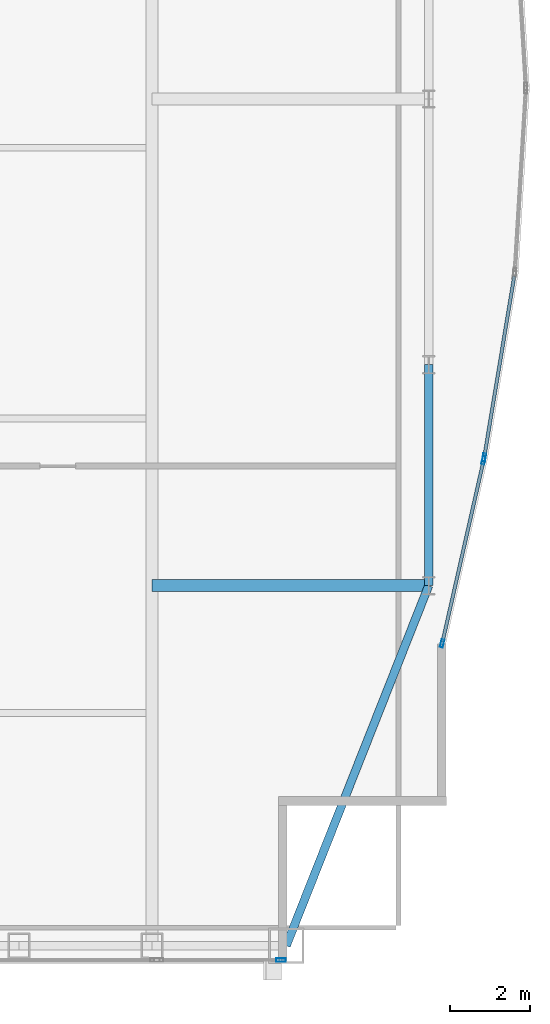
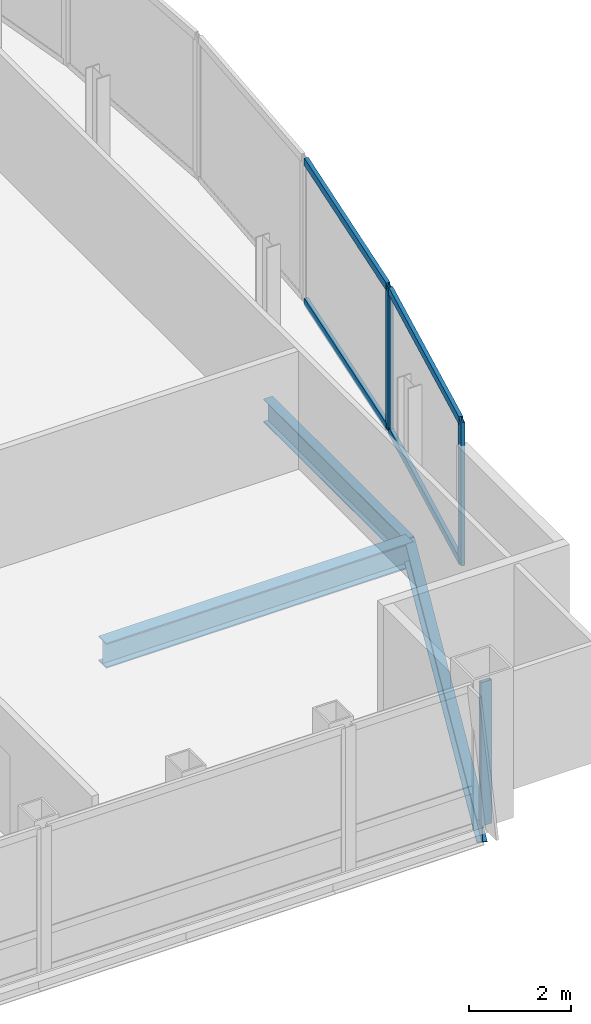
# One storey, part 16 of 29: 8 members, 3 beams, 3 elements without a shape of their own.
"""IFC4 building model written with IfcOpenShell, lengths in metres."""

from ifc_helpers import new_model, si_unit, direction, frame, origin, origin_2d, place, context, subcontext, project, spatial, hollow_rectangle, i_section, extrude, material, material_profile, profile_set, type_object, element, aggregate, save


model = new_model("IFC4")

# Units and contexts
model_context = context("Model", 3, precision=1e-05, world=origin(), true_north=direction((0.0, 1.0)))
body_context = subcontext(model_context, "Body", "Model", "MODEL_VIEW")
ifc_project = project(units=[si_unit("LENGTHUNIT", "METRE"), si_unit("AREAUNIT", "SQUARE_METRE"), si_unit("VOLUMEUNIT", "CUBIC_METRE"), si_unit("PLANEANGLEUNIT", "RADIAN"), si_unit("MASSUNIT", "GRAM", prefix="KILO")], contexts=[model_context])

# Site, building, storey
site_placement = place(None, origin())
site = spatial("IfcSite", under=ifc_project, at=site_placement, CompositionType="ELEMENT")
building_placement = place(site_placement, origin())
building = spatial("IfcBuilding", under=site, at=building_placement, Name="Khoronbel Lancet Exchange", CompositionType="ELEMENT")
storey_placement = place(building_placement, frame((0.0, 0.0, 318.199951171875)))
storey = spatial("IfcBuildingStorey", under=building, at=storey_placement, Name="L82", CompositionType="ELEMENT", Elevation=318.199951171875)

# Beams
ifc_material_1 = material(Name="Steel S355", Category="steel")
ifc_material_profile_1 = material_profile(ifc_material_1, i_section(OverallWidth=0.300048828125, OverallDepth=0.60009765625, WebThickness=0.015380859375, FlangeThickness=0.030029296875, at=origin_2d()), Name="HEB 600")
ifc_profile_set_1 = profile_set([ifc_material_profile_1], Name="Steel S355")
beam_type_1 = type_object("IfcBeamType", Name="BM-BG5", PredefinedType="BEAM", material=ifc_profile_set_1)
beam_1_placement = place(storey_placement, frame((54.675048828125, 19.199951171875, -0.4599609375), z_axis=(1.0, 0.0, 0.0), x_axis=(0.0, 1.0, 0.0)))
element("IfcBeam", 1, at=beam_1_placement, inside=storey, type_object=beam_type_1, Name="Level L82 east lens tie girder LG1E", PredefinedType="BEAM", context=body_context, shape_type="SweptSolid", body=[
    extrude(i_section(OverallWidth=0.300048828125, OverallDepth=0.60009765625, WebThickness=0.015380859375, FlangeThickness=0.030029296875, at=origin_2d()), origin(), (0.0, 0.0, 1.0), 6.954833984375),
])
ifc_material_profile_2 = material_profile(ifc_material_1, i_section(OverallWidth=0.2099609375, OverallDepth=0.550048828125, WebThickness=0.010986328125, FlangeThickness=0.01708984375, at=origin_2d()), Name="IPE 550")
ifc_profile_set_2 = profile_set([ifc_material_profile_2], Name="Steel S355")
beam_type_2 = type_object("IfcBeamType", Name="BM-BSP3", PredefinedType="SPANDREL", material=ifc_profile_set_2)
beam_2_placement = place(storey_placement, frame((58.050048828125, 10.14990234375, -0.43505859375), z_axis=(0.367828403855, 0.929893684954, 0.0), x_axis=(-0.929893684954, 0.367828403855, 0.0)))
element("IfcBeam", 2, at=beam_2_placement, inside=storey, type_object=beam_type_2, Name="Level L82 perimeter spandrel beam SP08", PredefinedType="SPANDREL", context=body_context, shape_type="SweptSolid", body=[
    extrude(i_section(OverallWidth=0.2099609375, OverallDepth=0.550048828125, WebThickness=0.010986328125, FlangeThickness=0.01708984375, at=origin_2d()), origin(), (0.0, 0.0, 1.0), 9.732421875),
])
beam_3_placement = place(storey_placement, frame((61.6298828125, 19.199951171875, -0.43505859375), z_axis=(0.0, 1.0, 0.0), x_axis=(-1.0, 0.0, 0.0)))
element("IfcBeam", 3, at=beam_3_placement, inside=storey, type_object=beam_type_2, Name="Level L82 perimeter spandrel beam SP09", PredefinedType="SPANDREL", context=body_context, shape_type="SweptSolid", body=[
    extrude(i_section(OverallWidth=0.2099609375, OverallDepth=0.550048828125, WebThickness=0.010986328125, FlangeThickness=0.01708984375, at=origin_2d()), origin(), (0.0, 0.0, 1.0), 5.550048828125),
])

# Curtain wall, member
ifc_material_2 = material(Name="Low-E Solar Control Insulating Glass", Category="glass")
curtain_wall_type_1 = type_object("IfcCurtainWallType", Name="CW-3", PredefinedType="NOTDEFINED", material=ifc_material_2)
curtain_wall_1_placement = place(storey_placement, origin())
curtain_wall_1 = element("IfcCurtainWall", 4, at=curtain_wall_1_placement, inside=storey, type_object=curtain_wall_type_1, Name="Unitised curtain wall CW-L82-SEV", PredefinedType="NOTDEFINED")
ifc_material_3 = material(Name="Bronze-Anodised Aluminium 6063-T6", Category="aluminium")
ifc_material_profile_3 = material_profile(ifc_material_3, hollow_rectangle(XDim=0.0849609375, YDim=0.239990234375, WallThickness=0.006103515625, at=origin_2d()), Name="ALU MULLION 85x240")
ifc_profile_set_3 = profile_set([ifc_material_profile_3], Name="Bronze-Anodised Aluminium 6063-T6")
member_type_1 = type_object("IfcMemberType", Name="MEM-CWM1", PredefinedType="MULLION", material=ifc_profile_set_3)
member_1_placement = place(storey_placement, frame((57.91748046875, 9.7900390625, 0.0), z_axis=(0.0, 0.0, 1.0), x_axis=(0.0, 1.0, 0.0)))
member_1 = element("IfcMember", 5, at=member_1_placement, type_object=member_type_1, Name="CW3 mullion 2", PredefinedType="MULLION", context=body_context, shape_type="SweptSolid", body=[
    extrude(hollow_rectangle(XDim=0.0849609375, YDim=0.239990234375, WallThickness=0.006103515625, at=origin_2d()), origin(), (0.0, 0.0, 1.0), 3.43994140625),
])
aggregate(curtain_wall_1, [member_1])

curtain_wall_type_2 = type_object("IfcCurtainWallType", Name="CW-4", PredefinedType="NOTDEFINED", material=ifc_material_2)
curtain_wall_2_placement = place(storey_placement, origin())
curtain_wall_2 = element("IfcCurtainWall", 6, at=curtain_wall_2_placement, inside=storey, type_object=curtain_wall_type_2, Name="Unitised curtain wall CW-L82-E21", PredefinedType="NOTDEFINED")
ifc_material_profile_4 = material_profile(ifc_material_3, hollow_rectangle(XDim=0.074951171875, YDim=0.199951171875, WallThickness=0.0048828125, at=origin_2d()), Name="ALU MULLION 75x200")
ifc_profile_set_4 = profile_set([ifc_material_profile_4], Name="Bronze-Anodised Aluminium 6063-T6")
member_type_2 = type_object("IfcMemberType", Name="MEM-CWM2", PredefinedType="MULLION", material=ifc_profile_set_4)
member_2_placement = place(storey_placement, frame((63.02392578125, 22.4208984375, 0.0), z_axis=(0.0, 0.0, 1.0), x_axis=(0.986546857696, -0.163478737362, 0.0)))
member_2 = element("IfcMember", 7, at=member_2_placement, type_object=member_type_2, Name="CW4 mullion 2", PredefinedType="MULLION", context=body_context, shape_type="SweptSolid", body=[
    extrude(hollow_rectangle(XDim=0.074951171875, YDim=0.199951171875, WallThickness=0.0048828125, at=origin_2d()), origin(), (0.0, 0.0, 1.0), 3.43994140625),
])

# Curtain wall, members
curtain_wall_3_placement = place(storey_placement, origin())
curtain_wall_3 = element("IfcCurtainWall", 8, at=curtain_wall_3_placement, inside=storey, type_object=curtain_wall_type_2, Name="Unitised curtain wall CW-L82-E22", PredefinedType="NOTDEFINED")
member_3_placement = place(storey_placement, frame((63.009521484375, 22.347412109375, 0.0), z_axis=(0.0, 0.0, 1.0), x_axis=(0.975333138033, -0.220738011804, 0.0)))
member_3 = element("IfcMember", 9, at=member_3_placement, type_object=member_type_2, Name="CW4 mullion 1", PredefinedType="MULLION", context=body_context, shape_type="SweptSolid", body=[
    extrude(hollow_rectangle(XDim=0.074951171875, YDim=0.199951171875, WallThickness=0.0048828125, at=origin_2d()), origin(), (0.0, 0.0, 1.0), 3.43994140625),
])
member_4_placement = place(storey_placement, frame((61.96826171875, 17.74658203125, 0.0), z_axis=(0.0, 0.0, 1.0), x_axis=(0.975333138033, -0.220738011804, 0.0)))
member_4 = element("IfcMember", 10, at=member_4_placement, type_object=member_type_2, Name="CW4 mullion 2", PredefinedType="MULLION", context=body_context, shape_type="SweptSolid", body=[
    extrude(hollow_rectangle(XDim=0.074951171875, YDim=0.199951171875, WallThickness=0.0048828125, at=origin_2d()), origin(), (0.0, 0.0, 1.0), 3.43994140625),
])

# Member
ifc_material_profile_5 = material_profile(ifc_material_3, hollow_rectangle(XDim=0.0849609375, YDim=0.179931640625, WallThickness=0.0048828125, at=origin_2d()), Name="ALU TRANSOM 85x180")
ifc_profile_set_5 = profile_set([ifc_material_profile_5], Name="Bronze-Anodised Aluminium 6063-T6")
member_type_3 = type_object("IfcMemberType", Name="MEM-CWT1", PredefinedType="USERDEFINED", material=ifc_profile_set_5)
member_5_placement = place(storey_placement, frame((63.777587890625, 26.969482421875, 0.04248046875), z_axis=(-0.163472569288, -0.986547879776, 0.0), x_axis=(0.986547879776, -0.163472569288, 0.0)))
member_5 = element("IfcMember", 11, at=member_5_placement, type_object=member_type_3, Name="CW4 transom 1.1", ObjectType="TRANSOM", PredefinedType="USERDEFINED", context=body_context, shape_type="SweptSolid", body=[
    extrude(hollow_rectangle(XDim=0.0849609375, YDim=0.179931640625, WallThickness=0.0048828125, at=origin_2d()), origin(), (0.0, 0.0, 1.0), 4.572998046875),
])

member_6_placement = place(storey_placement, frame((63.777587890625, 26.969482421875, 3.3974609375), z_axis=(-0.163472569288, -0.986547879776, 0.0), x_axis=(0.986547879776, -0.163472569288, 0.0)))
member_6 = element("IfcMember", 12, at=member_6_placement, type_object=member_type_3, Name="CW4 transom 1.2", ObjectType="TRANSOM", PredefinedType="USERDEFINED", context=body_context, shape_type="SweptSolid", body=[
    extrude(hollow_rectangle(XDim=0.0849609375, YDim=0.179931640625, WallThickness=0.0048828125, at=origin_2d()), origin(), (0.0, 0.0, 1.0), 4.572998046875),
])

aggregate(curtain_wall_2, [member_2, member_5, member_6])

member_7_placement = place(storey_placement, frame((63.001220703125, 22.310791015625, 0.04248046875), z_axis=(-0.220732202652, -0.975334452746, 0.0), x_axis=(0.975334452746, -0.220732202652, 0.0)))
member_7 = element("IfcMember", 13, at=member_7_placement, type_object=member_type_3, Name="CW4 transom 1.1", ObjectType="TRANSOM", PredefinedType="USERDEFINED", context=body_context, shape_type="SweptSolid", body=[
    extrude(hollow_rectangle(XDim=0.0849609375, YDim=0.179931640625, WallThickness=0.0048828125, at=origin_2d()), origin(), (0.0, 0.0, 1.0), 4.64208984375),
])

member_8_placement = place(storey_placement, frame((63.001220703125, 22.310791015625, 3.3974609375), z_axis=(-0.220732202652, -0.975334452746, 0.0), x_axis=(0.975334452746, -0.220732202652, 0.0)))
member_8 = element("IfcMember", 14, at=member_8_placement, type_object=member_type_3, Name="CW4 transom 1.2", ObjectType="TRANSOM", PredefinedType="USERDEFINED", context=body_context, shape_type="SweptSolid", body=[
    extrude(hollow_rectangle(XDim=0.0849609375, YDim=0.179931640625, WallThickness=0.0048828125, at=origin_2d()), origin(), (0.0, 0.0, 1.0), 4.64208984375),
])

aggregate(curtain_wall_3, [member_3, member_4, member_7, member_8])

save(model, "model.ifc")
